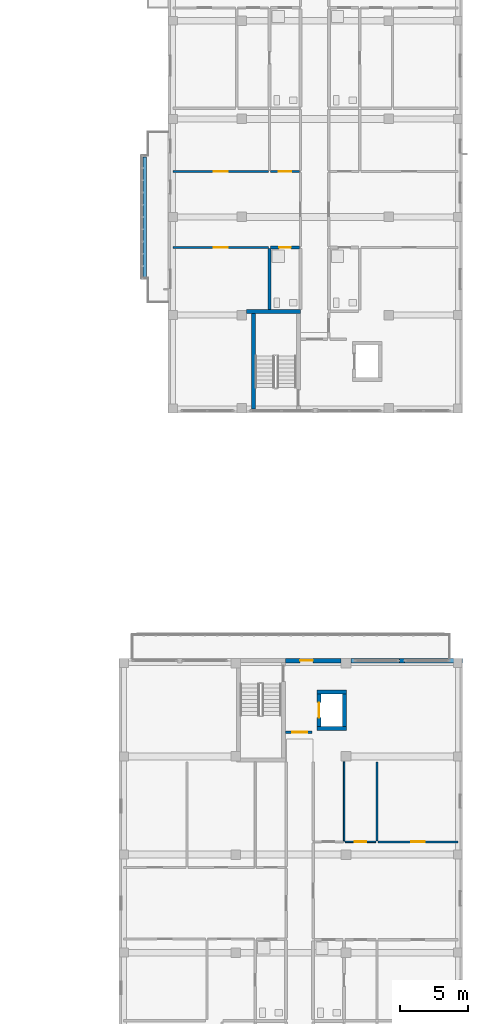
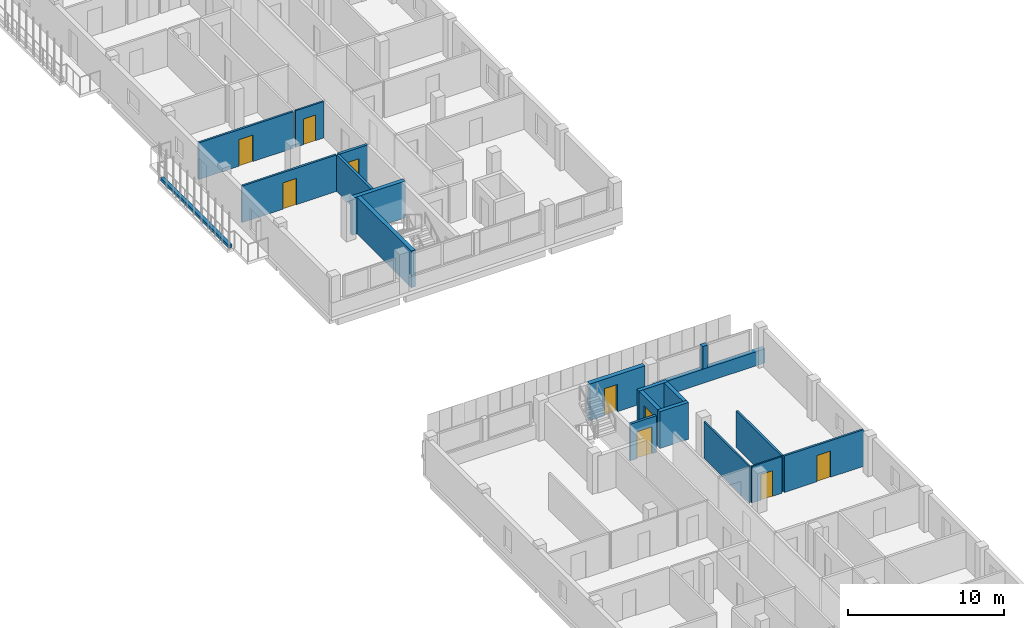
# One storey, part 33 of 51: 20 walls, 9 doors, 9 openings.
"""IFC4 building model written with IfcOpenShell, lengths in metres."""

from ifc_helpers import new_model, si_unit, derived_unit, direction, frame, frame_2d, origin, place, context, subcontext, project, spatial, rectangle, extrude, material, layer, layer_set, type_object, element, fill, save


model = new_model("IFC4")

# Units and contexts
model_context = context("Model", 3, precision=1e-05, world=origin(), true_north=direction((0.0, 1.0)))
body_context = subcontext(model_context, "Body", "Model", "MODEL_VIEW")
ifc_project = project(units=[si_unit("LENGTHUNIT", "METRE"), si_unit("AREAUNIT", "SQUARE_METRE"), si_unit("VOLUMEUNIT", "CUBIC_METRE"), si_unit("PLANEANGLEUNIT", "RADIAN"), si_unit("MASSUNIT", "GRAM", prefix="KILO"), derived_unit("THERMALTRANSMITTANCEUNIT", [(si_unit("MASSUNIT", "GRAM", prefix="KILO"), 1), (si_unit("TIMEUNIT", "SECOND"), -3), (si_unit("THERMODYNAMICTEMPERATUREUNIT", "KELVIN"), -1)])], contexts=[model_context])

# Site, building, storey
site_placement = place(None, origin())
site = spatial("IfcSite", under=ifc_project, at=site_placement, CompositionType="ELEMENT")
building_placement = place(site_placement, origin())
building = spatial("IfcBuilding", under=site, at=building_placement, Name="Ochrekiln Boulevard Commons", CompositionType="ELEMENT")
storey_placement = place(building_placement, frame((0.0, 0.0, 15.22509765625)))
storey = spatial("IfcBuildingStorey", under=building, at=storey_placement, Name="L04", CompositionType="ELEMENT", Elevation=15.22509765625)

# Wall
ifc_material_1 = material(Name="Desert ochre clinker brick masonry ASTM C216 Grade SW", Category="masonry")
ifc_layer_1 = layer(ifc_material_1, 0.330078125)
ifc_layer_set_1 = layer_set([ifc_layer_1], Name="Desert ochre clinker brick masonry ASTM C216 Grade SW")
wall_type_1 = type_object("IfcWallType", Name="WL-EXT-OCHRE-330", PredefinedType="SOLIDWALL", material=ifc_layer_set_1)
wall_1_placement = place(storey_placement, frame((168.169921875, 50.235107421875, 1.10986328125), z_axis=(0.0, 0.0, 1.0), x_axis=(1.0, 0.0, 0.0)))
element("IfcWall", 1, at=wall_1_placement, inside=storey, type_object=wall_type_1, Name="Block C L04 Courtyard Gable Mullion Pier", PredefinedType="SOLIDWALL", context=body_context, shape_type="SweptSolid", body=[
    extrude(rectangle(XDim=0.360107421875, YDim=0.330078125, at=frame_2d((0.18017578125, 0.0))), origin(), (0.0, 0.0, 1.0), 1.780029296875),
])

# Wall, opening, door
wall_2_placement = place(storey_placement, frame((159.800048828125, 50.235107421875, 0.0), z_axis=(0.0, 0.0, 1.0), x_axis=(1.0, 0.0, 0.0)))
wall_2 = element("IfcWall", 2, at=wall_2_placement, inside=storey, type_object=wall_type_1, Name="Block C L04 North Balcony Door Wall", PredefinedType="SOLIDWALL", context=body_context, shape_type="SweptSolid", body=[
    extrude(rectangle(XDim=4.099853515625, YDim=0.330078125, at=frame_2d((2.0498046875, 0.0))), origin(), (0.0, 0.0, 1.0), 2.889892578125),
])
opening_1_placement = place(wall_2_placement, frame((1.074951171875, 0.0, 0.0)))
opening_1 = element("IfcOpeningElement", 3, at=opening_1_placement, cuts=wall_2, Name="Opening D-L04-CBL", PredefinedType="OPENING", context=body_context, shape_type="SweptSolid", body=[
    extrude(rectangle(XDim=0.949951171875, YDim=2.14990234375, at=frame_2d((0.47509765625, 1.074951171875))), frame((0.0, 0.175048828125, 0.0), z_axis=(0.0, -1.0, 0.0), x_axis=(1.0, 0.0, 0.0)), (0.0, 0.0, 1.0), 0.35009765625),
])
ifc_material_2 = material(Name="Thermally broken aluminium-clad oak frame", Category="aluminium")
door_type_1 = type_object("IfcDoorType", Name="DR-EXT-BAL-095", OperationType="NOTDEFINED", PredefinedType="DOOR", material=ifc_material_2)
door_1_placement = place(opening_1_placement, origin())
door_1 = element("IfcDoor", 4, at=door_1_placement, inside=storey, type_object=door_type_1, Name="Block C L04 North Courtyard Balcony Door", OperationType="SINGLE_SWING_LEFT", OverallHeight=2.14990234375, OverallWidth=0.949951171875, PredefinedType="DOOR", context=body_context, shape_type="SweptSolid", body=[
    extrude(rectangle(XDim=0.949951171875, YDim=2.14990234375, at=frame_2d((0.47509765625, 1.074951171875))), frame((0.0, 0.02490234375, 0.0), z_axis=(0.0, -1.0, 0.0), x_axis=(1.0, 0.0, 0.0)), (0.0, 0.0, 1.0), 0.050048828125),
])
fill(opening_1, door_1)

# Wall
wall_3_placement = place(storey_placement, frame((164.60009765625, 50.235107421875, 0.0), z_axis=(0.0, 0.0, 1.0), x_axis=(1.0, 0.0, 0.0)))
element("IfcWall", 5, at=wall_3_placement, inside=storey, type_object=wall_type_1, Name="Block C L04 Courtyard Gable Sill Wall R", PredefinedType="SOLIDWALL", context=body_context, shape_type="SweptSolid", body=[
    extrude(rectangle(XDim=8.199951171875, YDim=0.330078125, at=frame_2d((4.10009765625, 0.0))), origin(), (0.0, 0.0, 1.0), 1.10986328125),
])

# Wall, opening, door
ifc_material_3 = material(Name="Moisture-resistant cementitious tile backer wall")
ifc_layer_2 = layer(ifc_material_3, 0.199951171875)
ifc_layer_set_2 = layer_set([ifc_layer_2], Name="Moisture-resistant cementitious tile backer wall")
wall_type_2 = type_object("IfcWallType", Name="WL-PLM-200", PredefinedType="PLUMBINGWALL", material=ifc_layer_set_2)
wall_4_placement = place(storey_placement, frame((158.719970703125, 80.554931640625, 0.0), z_axis=(0.0, 0.0, 1.0), x_axis=(1.0, 0.0, 0.0)))
wall_4 = element("IfcWall", 6, at=wall_4_placement, inside=storey, type_object=wall_type_2, Name="L04 Interior Wall W-PW200", PredefinedType="PLUMBINGWALL", context=body_context, shape_type="SweptSolid", body=[
    extrude(rectangle(XDim=2.10693359375, YDim=0.199951171875, at=frame_2d((1.053466796875, 0.0))), origin(), (0.0, 0.0, 1.0), 2.869873046875),
])
opening_2_placement = place(wall_4_placement, frame((0.6201171875, 0.0, 0.0)))
opening_2 = element("IfcOpeningElement", 7, at=opening_2_placement, cuts=wall_4, Name="Opening D-L04-591", PredefinedType="OPENING", context=body_context, shape_type="SweptSolid", body=[
    extrude(rectangle(XDim=0.860107421875, YDim=2.0, at=frame_2d((0.43017578125, 1.0))), frame((0.0, 0.10986328125, 0.0), z_axis=(0.0, -1.0, 0.0), x_axis=(1.0, 0.0, 0.0)), (0.0, 0.0, 1.0), 0.219970703125),
])
ifc_material_4 = material(Name="Solid core architectural oak door leaf")
door_type_2 = type_object("IfcDoorType", Name="DR-INT-BTH-086", OperationType="NOTDEFINED", PredefinedType="DOOR", material=ifc_material_4)
door_2_placement = place(opening_2_placement, frame((0.860107421875, 0.0, 0.0), z_axis=(0.0, 0.0, 1.0), x_axis=(-1.0, 0.0, 0.0)))
door_2 = element("IfcDoor", 8, at=door_2_placement, inside=storey, type_object=door_type_2, Name="L04 Interior Door to Accessible Apartment Bathroom", OperationType="SINGLE_SWING_LEFT", OverallHeight=2.0, OverallWidth=0.860107421875, PredefinedType="DOOR", context=body_context, shape_type="SweptSolid", body=[
    extrude(rectangle(XDim=0.860107421875, YDim=2.0, at=frame_2d((0.43017578125, 1.0))), frame((0.0, 0.02490234375, 0.0), z_axis=(0.0, -1.0, 0.0), x_axis=(1.0, 0.0, 0.0)), (0.0, 0.0, 1.0), 0.050048828125),
])
fill(opening_2, door_2)

# Walls
wall_5_placement = place(storey_placement, frame((158.639892578125, 76.0, 0.0), z_axis=(0.0, 0.0, 1.0), x_axis=(0.0, 1.0, 0.0)))
element("IfcWall", 9, at=wall_5_placement, inside=storey, type_object=wall_type_2, Name="L04 Interior Wall W-PW200", PredefinedType="PLUMBINGWALL", context=body_context, shape_type="SweptSolid", body=[
    extrude(rectangle(XDim=4.47998046875, YDim=0.199951171875, at=frame_2d((2.239990234375, 0.0))), origin(), (0.0, 0.0, 1.0), 2.869873046875),
])
ifc_material_5 = material(Name="Glazed architectural terracotta ASTM C1405", Category="masonry")
ifc_layer_3 = layer(ifc_material_5, 0.25)
ifc_layer_set_3 = layer_set([ifc_layer_3], Name="Glazed architectural terracotta ASTM C1405")
wall_type_3 = type_object("IfcWallType", Name="WL-PLN-250", PredefinedType="PARAPET", material=ifc_layer_set_3)
wall_6_placement = place(storey_placement, frame((149.47998046875, 78.409912109375, 0.0), z_axis=(0.0, 0.0, 1.0), x_axis=(0.0, 1.0, 0.0)))
element("IfcWall", 10, at=wall_6_placement, inside=storey, type_object=wall_type_3, Name="Block B L04 Balcony Terracotta Planter Box 1", PredefinedType="PARAPET", context=body_context, shape_type="SweptSolid", body=[
    extrude(rectangle(XDim=8.780029296875, YDim=0.25, at=frame_2d((4.39013671875, 0.0))), origin(), (0.0, 0.0, 1.0), 0.22998046875),
])

# Wall, opening, door
ifc_material_6 = material(Name="Fire-rated Type X gypsum board on steel studs", Category="steel")
ifc_layer_4 = layer(ifc_material_6, 0.18994140625)
ifc_layer_set_4 = layer_set([ifc_layer_4], Name="Fire-rated Type X gypsum board on steel studs")
wall_type_4 = type_object("IfcWallType", Name="WL-PT-LBY-190", PredefinedType="PARTITIONING", material=ifc_layer_set_4)
wall_7_placement = place(storey_placement, frame((159.800048828125, 44.97998046875, 0.0), z_axis=(0.0, 0.0, 1.0), x_axis=(1.0, 0.0, 0.0)))
wall_7 = element("IfcWall", 11, at=wall_7_placement, inside=storey, type_object=wall_type_4, Name="L04 Interior Wall W-PL190", PredefinedType="PARTITIONING", context=body_context, shape_type="SweptSolid", body=[
    extrude(rectangle(XDim=1.949951171875, YDim=0.18994140625, at=frame_2d((0.97509765625, 0.0))), origin(), (0.0, 0.0, 1.0), 2.869873046875),
])
opening_3_placement = place(wall_7_placement, frame((0.5, 0.0, 0.0)))
opening_3 = element("IfcOpeningElement", 12, at=opening_3_placement, cuts=wall_7, Name="Opening D-L04-614", PredefinedType="OPENING", context=body_context, shape_type="SweptSolid", body=[
    extrude(rectangle(XDim=1.10009765625, YDim=2.1201171875, at=frame_2d((0.550048828125, 1.06005859375))), frame((0.0, 0.10498046875, 0.0), z_axis=(0.0, -1.0, 0.0), x_axis=(1.0, 0.0, 0.0)), (0.0, 0.0, 1.0), 0.2099609375),
])
ifc_material_7 = material(Name="Hollow metal fire-rated steel door assembly", Category="steel")
door_type_3 = type_object("IfcDoorType", Name="DR-LOBBY-60", OperationType="NOTDEFINED", PredefinedType="DOOR", material=ifc_material_7)
door_3_placement = place(opening_3_placement, origin())
door_3 = element("IfcDoor", 13, at=door_3_placement, inside=storey, type_object=door_type_3, Name="L04 Interior Door to Passenger Elevator Lobby", OperationType="SINGLE_SWING_RIGHT", OverallHeight=2.1201171875, OverallWidth=1.10009765625, PredefinedType="DOOR", context=body_context, shape_type="SweptSolid", body=[
    extrude(rectangle(XDim=1.10009765625, YDim=2.1201171875, at=frame_2d((0.550048828125, 1.06005859375))), frame((0.0, 0.02490234375, 0.0), z_axis=(0.0, -1.0, 0.0), x_axis=(1.0, 0.0, 0.0)), (0.0, 0.0, 1.0), 0.050048828125),
])
fill(opening_3, door_3)

ifc_layer_5 = layer(ifc_material_6, 0.1201171875)
ifc_layer_set_5 = layer_set([ifc_layer_5], Name="Fire-rated Type X gypsum board on steel studs")
wall_type_5 = type_object("IfcWallType", Name="WL-PT-LGT-120", PredefinedType="PARTITIONING", material=ifc_layer_set_5)
wall_8_placement = place(storey_placement, frame((158.719970703125, 86.138916015625, 0.0), z_axis=(0.0, 0.0, 1.0), x_axis=(1.0, 0.0, 0.0)))
wall_8 = element("IfcWall", 14, at=wall_8_placement, inside=storey, type_object=wall_type_5, Name="L04 Interior Wall W-PL120", PredefinedType="PARTITIONING", context=body_context, shape_type="SweptSolid", body=[
    extrude(rectangle(XDim=2.10693359375, YDim=0.1201171875, at=frame_2d((1.053466796875, 0.0))), origin(), (0.0, 0.0, 1.0), 2.869873046875),
])
opening_4_placement = place(wall_8_placement, frame((0.590087890625, 0.0, 0.0)))
opening_4 = element("IfcOpeningElement", 15, at=opening_4_placement, cuts=wall_8, Name="Opening D-L04-592", PredefinedType="OPENING", context=body_context, shape_type="SweptSolid", body=[
    extrude(rectangle(XDim=0.919921875, YDim=2.02001953125, at=frame_2d((0.4599609375, 1.010009765625))), frame((0.0, 0.070068359375, 0.0), z_axis=(0.0, -1.0, 0.0), x_axis=(1.0, 0.0, 0.0)), (0.0, 0.0, 1.0), 0.14013671875),
])
door_type_4 = type_object("IfcDoorType", Name="DR-INT-KIT-092", OperationType="NOTDEFINED", PredefinedType="DOOR", material=ifc_material_4)
door_4_placement = place(opening_4_placement, origin())
door_4 = element("IfcDoor", 16, at=door_4_placement, inside=storey, type_object=door_type_4, Name="L04 Interior Door to Apartment Kitchen", OperationType="SINGLE_SWING_RIGHT", OverallHeight=2.02001953125, OverallWidth=0.919921875, PredefinedType="DOOR", context=body_context, shape_type="SweptSolid", body=[
    extrude(rectangle(XDim=0.919921875, YDim=2.02001953125, at=frame_2d((0.4599609375, 1.010009765625))), frame((0.0, 0.02490234375, 0.0), z_axis=(0.0, -1.0, 0.0), x_axis=(1.0, 0.0, 0.0)), (0.0, 0.0, 1.0), 0.050048828125),
])
fill(opening_4, door_4)

wall_9_placement = place(storey_placement, frame((164.18994140625, 36.93505859375, 0.0), z_axis=(0.0, 0.0, 1.0), x_axis=(1.0, 0.0, 0.0)))
wall_9 = element("IfcWall", 17, at=wall_9_placement, inside=storey, type_object=wall_type_5, Name="L04 Interior Wall W-PL120", PredefinedType="PARTITIONING", context=body_context, shape_type="SweptSolid", body=[
    extrude(rectangle(XDim=2.25, YDim=0.1201171875, at=frame_2d((1.125, 0.0))), origin(), (0.0, 0.0, 1.0), 2.869873046875),
])
opening_5_placement = place(wall_9_placement, frame((0.699951171875, 0.0, 0.0)))
opening_5 = element("IfcOpeningElement", 18, at=opening_5_placement, cuts=wall_9, Name="Opening D-L04-646", PredefinedType="OPENING", context=body_context, shape_type="SweptSolid", body=[
    extrude(rectangle(XDim=0.85009765625, YDim=2.010009765625, at=frame_2d((0.425048828125, 1.0048828125))), frame((0.0, 0.070068359375, 0.0), z_axis=(0.0, -1.0, 0.0), x_axis=(1.0, 0.0, 0.0)), (0.0, 0.0, 1.0), 0.14013671875),
])
door_type_5 = type_object("IfcDoorType", Name="DR-INT-KIT-085", OperationType="NOTDEFINED", PredefinedType="DOOR", material=ifc_material_4)
door_5_placement = place(opening_5_placement, origin())
door_5 = element("IfcDoor", 19, at=door_5_placement, inside=storey, type_object=door_type_5, Name="L04 Interior Door to Apartment Walk-In Wardrobe", OperationType="SINGLE_SWING_RIGHT", OverallHeight=2.010009765625, OverallWidth=0.85009765625, PredefinedType="DOOR", context=body_context, shape_type="SweptSolid", body=[
    extrude(rectangle(XDim=0.85009765625, YDim=2.010009765625, at=frame_2d((0.425048828125, 1.0048828125))), frame((0.0, 0.02490234375, 0.0), z_axis=(0.0, -1.0, 0.0), x_axis=(1.0, 0.0, 0.0)), (0.0, 0.0, 1.0), 0.050048828125),
])
fill(opening_5, door_5)

# Wall
wall_10_placement = place(storey_placement, frame((164.110107421875, 36.9951171875, 0.0), z_axis=(0.0, 0.0, 1.0), x_axis=(0.0, 1.0, 0.0)))
element("IfcWall", 20, at=wall_10_placement, inside=storey, type_object=wall_type_5, Name="L04 Interior Wall W-PL120", PredefinedType="PARTITIONING", context=body_context, shape_type="SweptSolid", body=[
    extrude(rectangle(XDim=5.804931640625, YDim=0.1201171875, at=frame_2d((2.90234375, 0.0))), origin(), (0.0, 0.0, 1.0), 2.869873046875),
])

# Wall, opening, door
ifc_layer_6 = layer(ifc_material_6, 0.14990234375)
ifc_layer_set_6 = layer_set([ifc_layer_6], Name="Fire-rated Type X gypsum board on steel studs")
wall_type_6 = type_object("IfcWallType", Name="WL-PT-STD-150", PredefinedType="PARTITIONING", material=ifc_layer_set_6)
wall_11_placement = place(storey_placement, frame((151.5400390625, 80.554931640625, 0.0), z_axis=(0.0, 0.0, 1.0), x_axis=(1.0, 0.0, 0.0)))
wall_11 = element("IfcWall", 21, at=wall_11_placement, inside=storey, type_object=wall_type_6, Name="L04 Interior Wall W-PS150", PredefinedType="PARTITIONING", context=body_context, shape_type="SweptSolid", body=[
    extrude(rectangle(XDim=7.02001953125, YDim=0.14990234375, at=frame_2d((3.510009765625, 0.0))), origin(), (0.0, 0.0, 1.0), 2.869873046875),
])
opening_6_placement = place(wall_11_placement, frame((3.014892578125, 0.0, 0.0)))
opening_6 = element("IfcOpeningElement", 22, at=opening_6_placement, cuts=wall_11, Name="Opening D-L04-593", PredefinedType="OPENING", context=body_context, shape_type="SweptSolid", body=[
    extrude(rectangle(XDim=1.0, YDim=2.06005859375, at=frame_2d((0.5, 1.030029296875))), frame((0.0, 0.0849609375, 0.0), z_axis=(0.0, -1.0, 0.0), x_axis=(1.0, 0.0, 0.0)), (0.0, 0.0, 1.0), 0.169921875),
])
door_type_6 = type_object("IfcDoorType", Name="DR-INT-BED-100", OperationType="NOTDEFINED", PredefinedType="DOOR", material=ifc_material_4)
door_6_placement = place(opening_6_placement, frame((1.0, 0.0, 0.0), z_axis=(0.0, 0.0, 1.0), x_axis=(-1.0, 0.0, 0.0)))
door_6 = element("IfcDoor", 23, at=door_6_placement, inside=storey, type_object=door_type_6, Name="L04 Interior Door to Primary Apartment Bedroom", OperationType="SINGLE_SWING_LEFT", OverallHeight=2.06005859375, OverallWidth=1.0, PredefinedType="DOOR", context=body_context, shape_type="SweptSolid", body=[
    extrude(rectangle(XDim=1.0, YDim=2.06005859375, at=frame_2d((0.5, 1.030029296875))), frame((0.0, 0.02490234375, 0.0), z_axis=(0.0, -1.0, 0.0), x_axis=(1.0, 0.0, 0.0)), (0.0, 0.0, 1.0), 0.050048828125),
])
fill(opening_6, door_6)

wall_12_placement = place(storey_placement, frame((151.5400390625, 86.138916015625, 0.0), z_axis=(0.0, 0.0, 1.0), x_axis=(1.0, 0.0, 0.0)))
wall_12 = element("IfcWall", 24, at=wall_12_placement, inside=storey, type_object=wall_type_6, Name="L04 Interior Wall W-PS150", PredefinedType="PARTITIONING", context=body_context, shape_type="SweptSolid", body=[
    extrude(rectangle(XDim=7.02001953125, YDim=0.14990234375, at=frame_2d((3.510009765625, 0.0))), origin(), (0.0, 0.0, 1.0), 2.869873046875),
])
opening_7_placement = place(wall_12_placement, frame((2.9951171875, 0.0, 0.0)))
opening_7 = element("IfcOpeningElement", 25, at=opening_7_placement, cuts=wall_12, Name="Opening D-L04-594", PredefinedType="OPENING", context=body_context, shape_type="SweptSolid", body=[
    extrude(rectangle(XDim=1.0400390625, YDim=2.080078125, at=frame_2d((0.52001953125, 1.0400390625))), frame((0.0, 0.0849609375, 0.0), z_axis=(0.0, -1.0, 0.0), x_axis=(1.0, 0.0, 0.0)), (0.0, 0.0, 1.0), 0.169921875),
])
door_type_7 = type_object("IfcDoorType", Name="DR-INT-BED-104", OperationType="NOTDEFINED", PredefinedType="DOOR", material=ifc_material_4)
door_7_placement = place(opening_7_placement, origin())
door_7 = element("IfcDoor", 26, at=door_7_placement, inside=storey, type_object=door_type_7, Name="L04 Interior Door to Secondary Apartment Bedroom", OperationType="SINGLE_SWING_RIGHT", OverallHeight=2.080078125, OverallWidth=1.0400390625, PredefinedType="DOOR", context=body_context, shape_type="SweptSolid", body=[
    extrude(rectangle(XDim=1.0400390625, YDim=2.080078125, at=frame_2d((0.52001953125, 1.0400390625))), frame((0.0, 0.02490234375, 0.0), z_axis=(0.0, -1.0, 0.0), x_axis=(1.0, 0.0, 0.0)), (0.0, 0.0, 1.0), 0.050048828125),
])
fill(opening_7, door_7)

wall_13_placement = place(storey_placement, frame((166.60009765625, 36.93505859375, 0.0), z_axis=(0.0, 0.0, 1.0), x_axis=(1.0, 0.0, 0.0)))
wall_13 = element("IfcWall", 27, at=wall_13_placement, inside=storey, type_object=wall_type_6, Name="L04 Interior Wall W-PS150", PredefinedType="PARTITIONING", context=body_context, shape_type="SweptSolid", body=[
    extrude(rectangle(XDim=5.869873046875, YDim=0.14990234375, at=frame_2d((2.93505859375, 0.0))), origin(), (0.0, 0.0, 1.0), 2.869873046875),
])
opening_8_placement = place(wall_13_placement, frame((2.425048828125, 0.0, 0.0)))
opening_8 = element("IfcOpeningElement", 28, at=opening_8_placement, cuts=wall_13, Name="Opening D-L04-645", PredefinedType="OPENING", context=body_context, shape_type="SweptSolid", body=[
    extrude(rectangle(XDim=1.0, YDim=2.06005859375, at=frame_2d((0.5, 1.030029296875))), frame((0.0, 0.0849609375, 0.0), z_axis=(0.0, -1.0, 0.0), x_axis=(1.0, 0.0, 0.0)), (0.0, 0.0, 1.0), 0.169921875),
])
door_8_placement = place(opening_8_placement, origin())
door_8 = element("IfcDoor", 29, at=door_8_placement, inside=storey, type_object=door_type_6, Name="L04 Interior Door to Secondary Apartment Bedroom", OperationType="SINGLE_SWING_LEFT", OverallHeight=2.06005859375, OverallWidth=1.0, PredefinedType="DOOR", context=body_context, shape_type="SweptSolid", body=[
    extrude(rectangle(XDim=1.0, YDim=2.06005859375, at=frame_2d((0.5, 1.030029296875))), frame((0.0, 0.02490234375, 0.0), z_axis=(0.0, -1.0, 0.0), x_axis=(1.0, 0.0, 0.0)), (0.0, 0.0, 1.0), 0.050048828125),
])
fill(opening_8, door_8)

# Walls
wall_14_placement = place(storey_placement, frame((166.52001953125, 36.9951171875, 0.0), z_axis=(0.0, 0.0, 1.0), x_axis=(0.0, 1.0, 0.0)))
element("IfcWall", 30, at=wall_14_placement, inside=storey, type_object=wall_type_6, Name="L04 Interior Wall W-PS150", PredefinedType="PARTITIONING", context=body_context, shape_type="SweptSolid", body=[
    extrude(rectangle(XDim=5.804931640625, YDim=0.14990234375, at=frame_2d((2.90234375, 0.0))), origin(), (0.0, 0.0, 1.0), 2.869873046875),
])
ifc_material_8 = material(Name="Concrete C40/50", Category="concrete")
ifc_layer_7 = layer(ifc_material_8, 0.27490234375)
ifc_layer_set_7 = layer_set([ifc_layer_7], Name="Concrete C40/50")
wall_type_7 = type_object("IfcWallType", Name="WL-SH-275", PredefinedType="SHEAR", material=ifc_layer_set_7)
for number, where, z_axis, x_axis, name in (
    (31, (162.125, 45.262451171875, 0.0), (0.0, 0.0, 1.0), (1.0, 0.0, 0.0), "Elevator LP-C2 L04 Hoistway Shear Wall"),
    (32, (162.125, 47.9375, 0.0), (0.0, 0.0, 1.0), (1.0, 0.0, 0.0), "Elevator LP-C2 L04 Hoistway Shear Wall"),
):
    element("IfcWall", number, at=place(storey_placement, frame(where, z_axis=z_axis, x_axis=x_axis)), inside=storey, type_object=wall_type_7, Name=name, PredefinedType="SHEAR", context=body_context, shape_type="SweptSolid", body=[
        extrude(rectangle(XDim=2.14990234375, YDim=0.27490234375, at=frame_2d((1.074951171875, 0.0))), origin(), (0.0, 0.0, 1.0), 2.889892578125),
    ])

# Wall, opening, door
wall_15_placement = place(storey_placement, frame((162.262451171875, 45.39990234375, 0.0), z_axis=(0.0, 0.0, 1.0), x_axis=(0.0, 1.0, 0.0)))
wall_15 = element("IfcWall", 33, at=wall_15_placement, inside=storey, type_object=wall_type_7, Name="Elevator LP-C2 L04 Hoistway Shear Wall", PredefinedType="SHEAR", context=body_context, shape_type="SweptSolid", body=[
    extrude(rectangle(XDim=2.400146484375, YDim=0.27490234375, at=frame_2d((1.2001953125, 0.0))), origin(), (0.0, 0.0, 1.0), 2.889892578125),
])
opening_9_placement = place(wall_15_placement, frame((0.64990234375, 0.0, 0.0)))
opening_9 = element("IfcOpeningElement", 34, at=opening_9_placement, cuts=wall_15, Name="Opening LD-LP-C2-L04", PredefinedType="OPENING", context=body_context, shape_type="SweptSolid", body=[
    extrude(rectangle(XDim=1.10009765625, YDim=2.14990234375, at=frame_2d((0.550048828125, 1.074951171875))), frame((0.0, 0.1474609375, 0.0), z_axis=(0.0, -1.0, 0.0), x_axis=(1.0, 0.0, 0.0)), (0.0, 0.0, 1.0), 0.294921875),
])
ifc_material_9 = material(Name="Brushed stainless steel 316 elevator cab and doors", Category="steel")
door_type_8 = type_object("IfcDoorType", Name="DR-LIFT-LD90", OperationType="SLIDING_TO_LEFT", PredefinedType="DOOR", material=ifc_material_9)
door_9_placement = place(opening_9_placement, origin())
door_9 = element("IfcDoor", 35, at=door_9_placement, inside=storey, type_object=door_type_8, Name="Elevator LP-C2 L04 Sliding Landing Door LD-LP-C2-L04", OperationType="SLIDING_TO_LEFT", OverallHeight=2.14990234375, OverallWidth=1.10009765625, PredefinedType="DOOR", context=body_context, shape_type="SweptSolid", body=[
    extrude(rectangle(XDim=1.10009765625, YDim=2.14990234375, at=frame_2d((0.550048828125, 1.074951171875))), frame((0.0, 0.02490234375, 0.0), z_axis=(0.0, -1.0, 0.0), x_axis=(1.0, 0.0, 0.0)), (0.0, 0.0, 1.0), 0.050048828125),
])
fill(opening_9, door_9)

# Walls
wall_16_placement = place(storey_placement, frame((164.137451171875, 45.39990234375, 0.0), z_axis=(0.0, 0.0, 1.0), x_axis=(0.0, 1.0, 0.0)))
element("IfcWall", 36, at=wall_16_placement, inside=storey, type_object=wall_type_7, Name="Elevator LP-C2 L04 Hoistway Shear Wall", PredefinedType="SHEAR", context=body_context, shape_type="SweptSolid", body=[
    extrude(rectangle(XDim=2.400146484375, YDim=0.27490234375, at=frame_2d((1.2001953125, 0.0))), origin(), (0.0, 0.0, 1.0), 2.889892578125),
])
ifc_layer_8 = layer(ifc_material_8, 0.300048828125)
ifc_layer_set_8 = layer_set([ifc_layer_8], Name="Concrete C40/50")
wall_type_8 = type_object("IfcWallType", Name="WL-SH-300", PredefinedType="SHEAR", material=ifc_layer_set_8)
wall_17_placement = place(storey_placement, frame((156.949951171875, 75.8701171875, 0.0), z_axis=(0.0, 0.0, 1.0), x_axis=(1.0, 0.0, 0.0)))
element("IfcWall", 37, at=wall_17_placement, inside=storey, type_object=wall_type_8, Name="Stair ST-B1 L04 Core Shear Wall N", PredefinedType="SHEAR", context=body_context, shape_type="SweptSolid", body=[
    extrude(rectangle(XDim=3.949951171875, YDim=0.300048828125, at=frame_2d((1.97509765625, 0.0))), origin(), (0.0, 0.0, 1.0), 2.889892578125),
])
wall_18_placement = place(storey_placement, frame((157.449951171875, 68.719970703125, 0.0), z_axis=(0.0, 0.0, 1.0), x_axis=(0.0, 1.0, 0.0)))
element("IfcWall", 38, at=wall_18_placement, inside=storey, type_object=wall_type_8, Name="Stair ST-B1 L04 Core Shear Wall W", PredefinedType="SHEAR", context=body_context, shape_type="SweptSolid", body=[
    extrude(rectangle(XDim=7.0, YDim=0.300048828125, at=frame_2d((3.5, 0.0))), origin(), (0.0, 0.0, 1.0), 2.889892578125),
])

save(model, "model.ifc")
